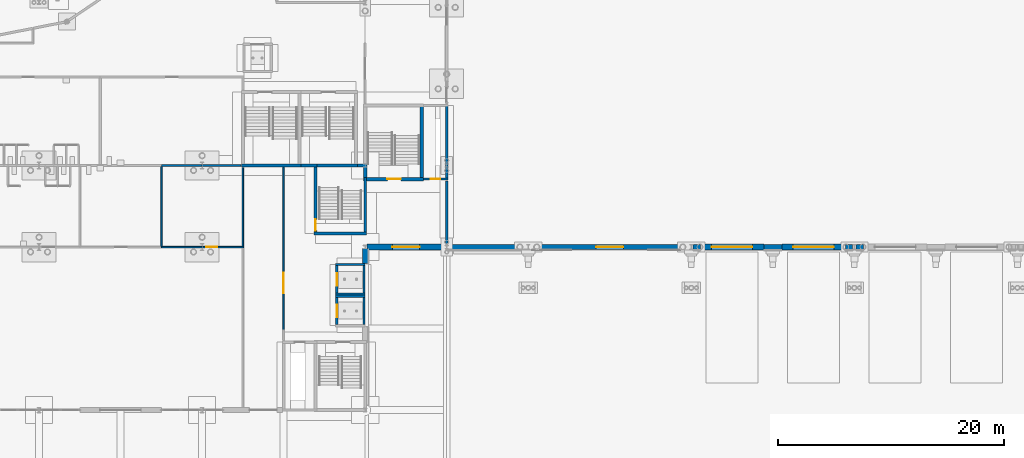
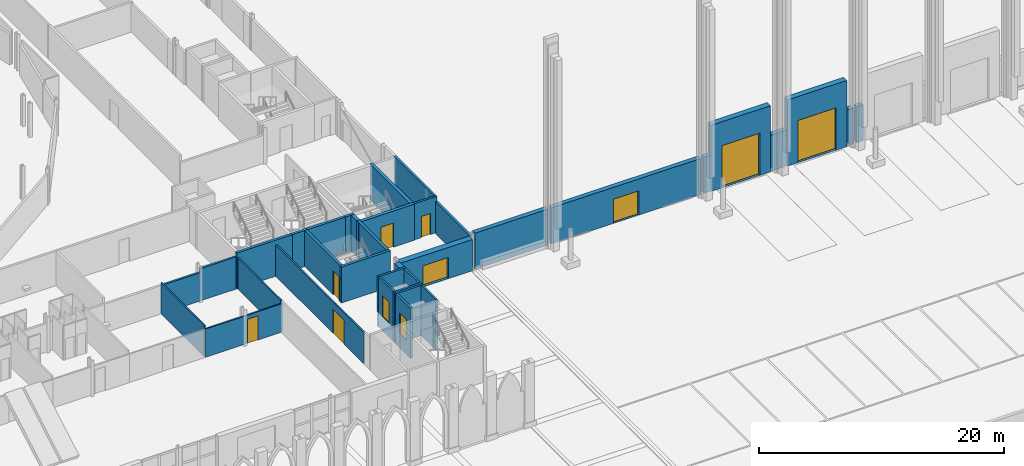
# One storey, part 80 of 148: 36 walls, 11 doors, 11 openings.
"""IFC4 building model written with IfcOpenShell, lengths in metres."""

from ifc_helpers import new_model, si_unit, direction, frame, frame_2d, origin, place, context, subcontext, project, spatial, rectangle, extrude, material, layer, layer_set, type_object, element, fill, save


model = new_model("IFC4")

# Units and contexts
model_context = context("Model", 3, precision=1e-05, world=origin(), true_north=direction((0.0, 1.0)))
body_context = subcontext(model_context, "Body", "Model", "MODEL_VIEW")
ifc_project = project(units=[si_unit("LENGTHUNIT", "METRE"), si_unit("AREAUNIT", "SQUARE_METRE"), si_unit("VOLUMEUNIT", "CUBIC_METRE"), si_unit("PLANEANGLEUNIT", "RADIAN"), si_unit("MASSUNIT", "GRAM", prefix="KILO")], contexts=[model_context])

# Site, building, storey
site_placement = place(None, origin())
site = spatial("IfcSite", under=ifc_project, at=site_placement, CompositionType="ELEMENT")
building_placement = place(site_placement, origin())
building = spatial("IfcBuilding", under=site, at=building_placement, Name="Kupolbacken Congress Centre", CompositionType="ELEMENT")
storey_placement = place(building_placement, origin())
storey = spatial("IfcBuildingStorey", under=building, at=storey_placement, Name="L00", CompositionType="ELEMENT", Elevation=0.0)

# Wall
ifc_material_1 = material(Name="Brick", Category="masonry")
ifc_layer_1 = layer(ifc_material_1, 0.10791015625)
ifc_material_2 = material(Name="Air cavity", Category="air")
ifc_layer_2 = layer(ifc_material_2, 0.0400390625, ventilated=True)
ifc_material_3 = material(Name="Mineral wool", Category="insulation")
ifc_layer_3 = layer(ifc_material_3, 0.152099609375)
ifc_material_4 = material(Name="Concrete block", Category="masonry")
ifc_layer_4 = layer(ifc_material_4, 0.1201171875)
ifc_layer_set_1 = layer_set([ifc_layer_1, ifc_layer_2, ifc_layer_3, ifc_layer_4], Name="Brick / Mineral wool / Concrete block")
wall_type_1 = type_object("IfcWallType", Name="EW04 external cavity wall 420", PredefinedType="SOLIDWALL", material=ifc_layer_set_1)
wall_1_placement = place(storey_placement, frame((86.550048828125, 43.199951171875, 0.0), z_axis=(0.0, 0.0, 1.0), x_axis=(1.0, 0.0, 0.0)))
element("IfcWall", 1, at=wall_1_placement, inside=storey, type_object=wall_type_1, Name="E/H/S/L00/068", PredefinedType="SOLIDWALL", context=body_context, shape_type="SweptSolid", body=[
    extrude(rectangle(XDim=6.89990234375, YDim=0.419921875, at=frame_2d((3.449951171875, 0.0))), origin(), (0.0, 0.0, 1.0), 3.60009765625),
])

# Wall, opening, door
wall_2_placement = place(storey_placement, frame((93.75, 43.199951171875, 0.0), z_axis=(0.0, 0.0, 1.0), x_axis=(1.0, 0.0, 0.0)))
wall_2 = element("IfcWall", 2, at=wall_2_placement, inside=storey, type_object=wall_type_1, Name="E/H/S/L00/069", PredefinedType="SOLIDWALL", context=body_context, shape_type="SweptSolid", body=[
    extrude(rectangle(XDim=14.10009765625, YDim=0.419921875, at=frame_2d((7.050048828125, 0.0))), origin(), (0.0, 0.0, 1.0), 3.60009765625),
])
opening_1_placement = place(wall_2_placement, frame((5.85009765625, 0.0, 0.014892578125)))
opening_1 = element("IfcOpeningElement", 3, at=opening_1_placement, cuts=wall_2, Name="Opening D46", PredefinedType="OPENING", context=body_context, shape_type="SweptSolid", body=[
    extrude(rectangle(XDim=2.39990234375, YDim=2.39990234375, at=frame_2d((1.199951171875, 1.199951171875))), frame((0.0, 0.219970703125, 0.0), z_axis=(0.0, -1.0, 0.0), x_axis=(1.0, 0.0, 0.0)), (0.0, 0.0, 1.0), 0.43994140625),
])
ifc_material_5 = material(Name="Timber door leaf", Category="wood")
door_type_1 = type_object("IfcDoorType", Name="D46 door 2400x2400 with 15 mm threshold", OperationType="DOUBLE_DOOR_SINGLE_SWING", PredefinedType="DOOR", material=ifc_material_5)
door_1_placement = place(opening_1_placement, frame((2.39990234375, 0.0, 0.0), z_axis=(0.0, 0.0, 1.0), x_axis=(-1.0, 0.0, 0.0)))
door_1 = element("IfcDoor", 4, at=door_1_placement, inside=storey, type_object=door_type_1, Name="Hall exit S1", OperationType="DOUBLE_DOOR_SINGLE_SWING", OverallHeight=2.39990234375, OverallWidth=2.39990234375, PredefinedType="DOOR", context=body_context, shape_type="SweptSolid", body=[
    extrude(rectangle(XDim=2.39990234375, YDim=2.39990234375, at=frame_2d((1.199951171875, 1.199951171875))), frame((0.0, 0.02490234375, 0.0), z_axis=(0.0, -1.0, 0.0), x_axis=(1.0, 0.0, 0.0)), (0.0, 0.0, 1.0), 0.050048828125),
])
fill(opening_1, door_1)

# Walls
wall_3_placement = place(storey_placement, frame((108.14990234375, 43.199951171875, 0.0), z_axis=(0.0, 0.0, 1.0), x_axis=(1.0, 0.0, 0.0)))
element("IfcWall", 5, at=wall_3_placement, inside=storey, type_object=wall_type_1, Name="E/H/S/L00/070", PredefinedType="SOLIDWALL", context=body_context, shape_type="SweptSolid", body=[
    extrude(rectangle(XDim=0.650146484375, YDim=0.419921875, at=frame_2d((0.3251953125, 0.0))), origin(), (0.0, 0.0, 1.0), 3.60009765625),
])
wall_4_placement = place(storey_placement, frame((114.39990234375, 43.199951171875, 0.0), z_axis=(0.0, 0.0, 1.0), x_axis=(1.0, 0.0, 0.0)))
element("IfcWall", 6, at=wall_4_placement, inside=storey, type_object=wall_type_1, Name="E/H/S/L00/072", PredefinedType="SOLIDWALL", context=body_context, shape_type="SweptSolid", body=[
    extrude(rectangle(XDim=1.60009765625, YDim=0.419921875, at=frame_2d((0.800048828125, 0.0))), origin(), (0.0, 0.0, 1.0), 3.60009765625),
])
for number, where, z_axis, x_axis, name in (
    (7, (121.60009765625, 43.199951171875, 0.0), (0.0, 0.0, 1.0), (1.0, 0.0, 0.0), "E/H/S/L00/074"),
    (8, (122.550048828125, 43.199951171875, 0.0), (0.0, 0.0, 1.0), (1.0, 0.0, 0.0), "E/H/S/L00/075"),
):
    element("IfcWall", number, at=place(storey_placement, frame(where, z_axis=z_axis, x_axis=x_axis)), inside=storey, type_object=wall_type_1, Name=name, PredefinedType="SOLIDWALL", context=body_context, shape_type="SweptSolid", body=[
        extrude(rectangle(XDim=0.64990234375, YDim=0.419921875, at=frame_2d((0.324951171875, 0.0))), origin(), (0.0, 0.0, 1.0), 3.60009765625),
    ])
ifc_material_6 = material(Name="Concrete C40/50", Category="concrete")
ifc_layer_5 = layer(ifc_material_6, 0.1201171875)
ifc_layer_6 = layer(ifc_material_3, 0.19189453125)
ifc_layer_7 = layer(ifc_material_2, 0.0400390625, ventilated=True)
ifc_layer_8 = layer(ifc_material_1, 0.10791015625)
ifc_layer_set_2 = layer_set([ifc_layer_5, ifc_layer_6, ifc_layer_7, ifc_layer_8], Name="Concrete C40/50 / Mineral wool / Brick")
wall_type_2 = type_object("IfcWallType", Name="EW06 external cavity wall 460", PredefinedType="SOLIDWALL", material=ifc_layer_set_2)
wall_5_placement = place(storey_placement, frame((79.199951171875, 41.75, 0.0), z_axis=(0.0, 0.0, 1.0), x_axis=(0.0, 1.0, 0.0)))
element("IfcWall", 9, at=wall_5_placement, inside=storey, type_object=wall_type_2, Name="E/F/E/L00/026", PredefinedType="SOLIDWALL", context=body_context, shape_type="SweptSolid", body=[
    extrude(rectangle(XDim=1.300048828125, YDim=0.4599609375, at=frame_2d((0.64990234375, 0.0))), origin(), (0.0, 0.0, 1.0), 3.219970703125),
])

# Wall, opening, door
ifc_layer_9 = layer(ifc_material_6, 0.199951171875)
ifc_layer_10 = layer(ifc_material_3, 0.172119140625)
ifc_layer_11 = layer(ifc_material_2, 0.0400390625, ventilated=True)
ifc_layer_12 = layer(ifc_material_1, 0.10791015625)
ifc_layer_set_3 = layer_set([ifc_layer_9, ifc_layer_10, ifc_layer_11, ifc_layer_12], Name="Concrete C40/50 / Mineral wool / Brick")
wall_type_3 = type_object("IfcWallType", Name="EW08 external cavity wall 520", PredefinedType="SOLIDWALL", material=ifc_layer_set_3)
wall_6_placement = place(storey_placement, frame((108.800048828125, 43.199951171875, 0.0), z_axis=(0.0, 0.0, 1.0), x_axis=(1.0, 0.0, 0.0)))
wall_6 = element("IfcWall", 10, at=wall_6_placement, inside=storey, type_object=wall_type_3, Name="E/H/S/L00/071", PredefinedType="SOLIDWALL", context=body_context, shape_type="SweptSolid", body=[
    extrude(rectangle(XDim=5.599853515625, YDim=0.52001953125, at=frame_2d((2.7998046875, 0.0))), origin(), (0.0, 0.0, 1.0), 6.60009765625),
])
opening_2_placement = place(wall_6_placement, frame((1.0, 0.0, 0.014892578125)))
opening_2 = element("IfcOpeningElement", 11, at=opening_2_placement, cuts=wall_6, Name="Opening D28", PredefinedType="OPENING", context=body_context, shape_type="SweptSolid", body=[
    extrude(rectangle(XDim=3.60009765625, YDim=4.199951171875, at=frame_2d((1.800048828125, 2.10009765625))), frame((0.0, 0.27001953125, 0.0), z_axis=(0.0, -1.0, 0.0), x_axis=(1.0, 0.0, 0.0)), (0.0, 0.0, 1.0), 0.5400390625),
])
ifc_material_7 = material(Name="Steel fire door leaf", Category="steel")
door_type_2 = type_object("IfcDoorType", Name="D28 fire door dock gate 3600x4200", OperationType="ROLLINGUP", PredefinedType="GATE", material=ifc_material_7)
door_2_placement = place(opening_2_placement, origin())
door_2 = element("IfcDoor", 12, at=door_2_placement, inside=storey, type_object=door_type_2, Name="Dock door D1", OperationType="SINGLE_SWING_LEFT", OverallHeight=4.199951171875, OverallWidth=3.60009765625, PredefinedType="GATE", context=body_context, shape_type="SweptSolid", body=[
    extrude(rectangle(XDim=3.60009765625, YDim=4.199951171875, at=frame_2d((1.800048828125, 2.10009765625))), frame((0.0, 0.02490234375, 0.0), z_axis=(0.0, -1.0, 0.0), x_axis=(1.0, 0.0, 0.0)), (0.0, 0.0, 1.0), 0.050048828125),
])
fill(opening_2, door_2)

wall_7_placement = place(storey_placement, frame((116.0, 43.199951171875, 0.0), z_axis=(0.0, 0.0, 1.0), x_axis=(1.0, 0.0, 0.0)))
wall_7 = element("IfcWall", 13, at=wall_7_placement, inside=storey, type_object=wall_type_3, Name="E/H/S/L00/073", PredefinedType="SOLIDWALL", context=body_context, shape_type="SweptSolid", body=[
    extrude(rectangle(XDim=5.60009765625, YDim=0.52001953125, at=frame_2d((2.800048828125, 0.0))), origin(), (0.0, 0.0, 1.0), 6.60009765625),
])
opening_3_placement = place(wall_7_placement, frame((1.0, 0.0, 0.014892578125)))
opening_3 = element("IfcOpeningElement", 14, at=opening_3_placement, cuts=wall_7, Name="Opening D28", PredefinedType="OPENING", context=body_context, shape_type="SweptSolid", body=[
    extrude(rectangle(XDim=3.60009765625, YDim=4.199951171875, at=frame_2d((1.800048828125, 2.10009765625))), frame((0.0, 0.27001953125, 0.0), z_axis=(0.0, -1.0, 0.0), x_axis=(1.0, 0.0, 0.0)), (0.0, 0.0, 1.0), 0.5400390625),
])
door_3_placement = place(opening_3_placement, origin())
door_3 = element("IfcDoor", 15, at=door_3_placement, inside=storey, type_object=door_type_2, Name="Dock door D2", OperationType="SINGLE_SWING_LEFT", OverallHeight=4.199951171875, OverallWidth=3.60009765625, PredefinedType="GATE", context=body_context, shape_type="SweptSolid", body=[
    extrude(rectangle(XDim=3.60009765625, YDim=4.199951171875, at=frame_2d((1.800048828125, 2.10009765625))), frame((0.0, 0.02490234375, 0.0), z_axis=(0.0, -1.0, 0.0), x_axis=(1.0, 0.0, 0.0)), (0.0, 0.0, 1.0), 0.050048828125),
])
fill(opening_3, door_3)

ifc_layer_13 = layer(ifc_material_6, 0.199951171875)
ifc_layer_14 = layer(ifc_material_3, 0.199951171875)
ifc_layer_15 = layer(ifc_material_2, 0.0400390625, ventilated=True)
ifc_material_8 = material(Name="Limestone", Category="masonry")
ifc_layer_16 = layer(ifc_material_8, 0.1201171875)
ifc_layer_set_4 = layer_set([ifc_layer_13, ifc_layer_14, ifc_layer_15, ifc_layer_16], Name="Concrete C40/50 / Mineral wool / Limestone")
wall_type_4 = type_object("IfcWallType", Name="EW09 external cavity wall 560", PredefinedType="SOLIDWALL", material=ifc_layer_set_4)
wall_8_placement = place(storey_placement, frame((79.35009765625, 43.199951171875, 0.0), z_axis=(0.0, 0.0, 1.0), x_axis=(1.0, 0.0, 0.0)))
wall_8 = element("IfcWall", 16, at=wall_8_placement, inside=storey, type_object=wall_type_4, Name="E/LINK/S/L00/092", PredefinedType="SOLIDWALL", context=body_context, shape_type="SweptSolid", body=[
    extrude(rectangle(XDim=6.89990234375, YDim=0.56005859375, at=frame_2d((3.449951171875, 0.0))), origin(), (0.0, 0.0, 1.0), 3.1201171875),
])
opening_4_placement = place(wall_8_placement, frame((2.25, 0.0, 0.014892578125)))
opening_4 = element("IfcOpeningElement", 17, at=opening_4_placement, cuts=wall_8, Name="Opening D50", PredefinedType="OPENING", context=body_context, shape_type="SweptSolid", body=[
    extrude(rectangle(XDim=2.39990234375, YDim=2.10009765625, at=frame_2d((1.199951171875, 1.050048828125))), frame((0.0, 0.2900390625, 0.0), z_axis=(0.0, -1.0, 0.0), x_axis=(1.0, 0.0, 0.0)), (0.0, 0.0, 1.0), 0.580078125),
])
ifc_material_9 = material(Name="Steel fire door leaf", Category="steel")
door_type_3 = type_object("IfcDoorType", Name="D50 stair door 2400x2100 with 15 mm threshold", OperationType="DOUBLE_DOOR_SINGLE_SWING", PredefinedType="DOOR", material=ifc_material_9)
door_4_placement = place(opening_4_placement, frame((2.39990234375, 0.0, 0.0), z_axis=(0.0, 0.0, 1.0), x_axis=(-1.0, 0.0, 0.0)))
door_4 = element("IfcDoor", 18, at=door_4_placement, inside=storey, type_object=door_type_3, Name="Final exit X3", OperationType="DOUBLE_DOOR_SINGLE_SWING", OverallHeight=2.10009765625, OverallWidth=2.39990234375, PredefinedType="DOOR", context=body_context, shape_type="SweptSolid", body=[
    extrude(rectangle(XDim=2.39990234375, YDim=2.10009765625, at=frame_2d((1.199951171875, 1.050048828125))), frame((0.0, 0.02490234375, 0.0), z_axis=(0.0, -1.0, 0.0), x_axis=(1.0, 0.0, 0.0)), (0.0, 0.0, 1.0), 0.050048828125),
])
fill(opening_4, door_4)

ifc_material_10 = material(Name="Gypsum board", Category="drywall")
ifc_layer_17 = layer(ifc_material_10, 0.135009765625)
ifc_layer_set_5 = layer_set([ifc_layer_17], Name="Gypsum board")
wall_type_5 = type_object("IfcWallType", Name="P06 compartment wall 135", PredefinedType="PARTITIONING", material=ifc_layer_set_5)
wall_9_placement = place(storey_placement, frame((61.199951171875, 43.199951171875, 0.0), z_axis=(0.0, 0.0, 1.0), x_axis=(1.0, 0.0, 0.0)))
wall_9 = element("IfcWall", 19, at=wall_9_placement, inside=storey, type_object=wall_type_5, Name="PD/L00/W036", PredefinedType="PARTITIONING", context=body_context, shape_type="SweptSolid", body=[
    extrude(rectangle(XDim=7.267578125, YDim=0.135009765625, at=frame_2d((3.6337890625, 0.0))), origin(), (0.0, 0.0, 1.0), 2.820068359375),
])
opening_5_placement = place(wall_9_placement, frame((3.949951171875, 0.0, 0.0)))
opening_5 = element("IfcOpeningElement", 20, at=opening_5_placement, cuts=wall_9, Name="Opening 0.F13", PredefinedType="OPENING", context=body_context, shape_type="SweptSolid", body=[
    extrude(rectangle(XDim=1.0, YDim=2.39990234375, at=frame_2d((0.5, 1.199951171875))), frame((0.0, 0.077392578125, 0.0), z_axis=(0.0, -1.0, 0.0), x_axis=(1.0, 0.0, 0.0)), (0.0, 0.0, 1.0), 0.155029296875),
])
ifc_material_11 = material(Name="Steel fire door leaf", Category="steel")
door_type_4 = type_object("IfcDoorType", Name="D8 fire door 1000x2400", OperationType="SINGLE_SWING_LEFT", PredefinedType="DOOR", material=ifc_material_11)
door_5_placement = place(opening_5_placement, origin())
door_5 = element("IfcDoor", 21, at=door_5_placement, inside=storey, type_object=door_type_4, Name="PD/L00/W036/D0F13", OperationType="SINGLE_SWING_LEFT", OverallHeight=2.39990234375, OverallWidth=1.0, PredefinedType="DOOR", context=body_context, shape_type="SweptSolid", body=[
    extrude(rectangle(XDim=1.0, YDim=2.39990234375, at=frame_2d((0.5, 1.199951171875))), frame((0.0, 0.02490234375, 0.0), z_axis=(0.0, -1.0, 0.0), x_axis=(1.0, 0.0, 0.0)), (0.0, 0.0, 1.0), 0.050048828125),
])
fill(opening_5, door_5)

# Walls
wall_10_placement = place(storey_placement, frame((68.39990234375, 43.267578125, 0.0), z_axis=(0.0, 0.0, 1.0), x_axis=(0.0, 1.0, 0.0)))
element("IfcWall", 22, at=wall_10_placement, inside=storey, type_object=wall_type_5, Name="PD/L00/W038", PredefinedType="PARTITIONING", context=body_context, shape_type="SweptSolid", body=[
    extrude(rectangle(XDim=6.947509765625, YDim=0.135009765625, at=frame_2d((3.4736328125, 0.0))), origin(), (0.0, 0.0, 1.0), 3.1201171875),
])
wall_11_placement = place(storey_placement, frame((61.199951171875, 50.304931640625, 0.0), z_axis=(0.0, 0.0, 1.0), x_axis=(0.0, -1.0, 0.0)))
element("IfcWall", 23, at=wall_11_placement, inside=storey, type_object=wall_type_5, Name="PD/L00/W052", PredefinedType="PARTITIONING", context=body_context, shape_type="SweptSolid", body=[
    extrude(rectangle(XDim=7.037353515625, YDim=0.135009765625, at=frame_2d((3.5185546875, 0.0))), origin(), (0.0, 0.0, 1.0), 3.1201171875),
])

# Wall, opening, door
wall_12_placement = place(storey_placement, frame((72.0, 35.889892578125, 0.0), z_axis=(0.0, 0.0, 1.0), x_axis=(0.0, 1.0, 0.0)))
wall_12 = element("IfcWall", 24, at=wall_12_placement, inside=storey, type_object=wall_type_5, Name="PD/L00/W002.h1", PredefinedType="PARTITIONING", context=body_context, shape_type="SweptSolid", body=[
    extrude(rectangle(XDim=14.4501953125, YDim=0.135009765625, at=frame_2d((7.22509765625, 0.0))), origin(), (0.0, 0.0, 1.0), 3.1201171875),
])
opening_6_placement = place(wall_12_placement, frame((3.219970703125, 0.0, 0.0)))
opening_6 = element("IfcOpeningElement", 25, at=opening_6_placement, cuts=wall_12, Name="Opening 0.F15", PredefinedType="OPENING", context=body_context, shape_type="SweptSolid", body=[
    extrude(rectangle(XDim=1.800048828125, YDim=2.39990234375, at=frame_2d((0.89990234375, 1.199951171875))), frame((0.0, 0.077392578125, 0.0), z_axis=(0.0, -1.0, 0.0), x_axis=(1.0, 0.0, 0.0)), (0.0, 0.0, 1.0), 0.155029296875),
])
ifc_material_12 = material(Name="Steel fire door leaf", Category="steel")
door_type_5 = type_object("IfcDoorType", Name="D15 fire door 1800x2400", OperationType="DOUBLE_DOOR_SINGLE_SWING", PredefinedType="DOOR", material=ifc_material_12)
door_6_placement = place(opening_6_placement, frame((1.800048828125, 0.0, 0.0), z_axis=(0.0, 0.0, 1.0), x_axis=(-1.0, 0.0, 0.0)))
door_6 = element("IfcDoor", 26, at=door_6_placement, inside=storey, type_object=door_type_5, Name="PD/L00/W002/D0F15", OperationType="DOUBLE_DOOR_SINGLE_SWING", OverallHeight=2.39990234375, OverallWidth=1.800048828125, PredefinedType="DOOR", context=body_context, shape_type="SweptSolid", body=[
    extrude(rectangle(XDim=1.800048828125, YDim=2.39990234375, at=frame_2d((0.89990234375, 1.199951171875))), frame((0.0, 0.02490234375, 0.0), z_axis=(0.0, -1.0, 0.0), x_axis=(1.0, 0.0, 0.0)), (0.0, 0.0, 1.0), 0.050048828125),
])
fill(opening_6, door_6)

# Walls
ifc_material_13 = material(Name="Gypsum board", Category="drywall")
ifc_layer_18 = layer(ifc_material_13, 0.18994140625)
ifc_layer_set_6 = layer_set([ifc_layer_18], Name="Gypsum board")
wall_type_6 = type_object("IfcWallType", Name="P10 partition 190", PredefinedType="PARTITIONING", material=ifc_layer_set_6)
wall_13_placement = place(storey_placement, frame((61.199951171875, 50.39990234375, 0.0), z_axis=(0.0, 0.0, 1.0), x_axis=(1.0, 0.0, 0.0)))
element("IfcWall", 27, at=wall_13_placement, inside=storey, type_object=wall_type_6, Name="PD/L00/W055", PredefinedType="PARTITIONING", context=body_context, shape_type="SweptSolid", body=[
    extrude(rectangle(XDim=3.607666015625, YDim=0.18994140625, at=frame_2d((1.8037109375, 0.0))), origin(), (0.0, 0.0, 1.0), 2.820068359375),
])
wall_14_placement = place(storey_placement, frame((64.8076171875, 50.39990234375, 0.0), z_axis=(0.0, 0.0, 1.0), x_axis=(1.0, 0.0, 0.0)))
element("IfcWall", 28, at=wall_14_placement, inside=storey, type_object=wall_type_6, Name="PD/L00/W055.h1", PredefinedType="PARTITIONING", context=body_context, shape_type="SweptSolid", body=[
    extrude(rectangle(XDim=3.407470703125, YDim=0.18994140625, at=frame_2d((1.70361328125, 0.0))), origin(), (0.0, 0.0, 1.0), 3.218994140625),
])
ifc_material_14 = material(Name="Dense concrete block", Category="masonry")
ifc_layer_19 = layer(ifc_material_14, 0.215087890625)
ifc_layer_set_7 = layer_set([ifc_layer_19], Name="Dense concrete block")
wall_type_7 = type_object("IfcWallType", Name="P15 partition 215", PredefinedType="PARTITIONING", material=ifc_layer_set_7)
wall_15_placement = place(storey_placement, frame((86.39990234375, 43.47998046875, 0.0), z_axis=(0.0, 0.0, 1.0), x_axis=(0.0, 1.0, 0.0)))
element("IfcWall", 29, at=wall_15_placement, inside=storey, type_object=wall_type_7, Name="PD/L00/W012", PredefinedType="PARTITIONING", context=body_context, shape_type="SweptSolid", body=[
    extrude(rectangle(XDim=5.56005859375, YDim=0.215087890625, at=frame_2d((2.780029296875, 0.0))), origin(), (0.0, 0.0, 1.0), 3.14990234375),
])

# Wall, opening, door
ifc_material_15 = material(Name="Concrete C40/50", Category="concrete")
ifc_layer_20 = layer(ifc_material_15, 0.199951171875)
ifc_layer_set_8 = layer_set([ifc_layer_20], Name="Concrete C40/50")
wall_type_8 = type_object("IfcWallType", Name="WC1 RC shaft wall 200", PredefinedType="SHEAR", material=ifc_layer_set_8)
wall_16_placement = place(storey_placement, frame((84.35009765625, 49.199951171875, 0.0), z_axis=(0.0, 0.0, 1.0), x_axis=(1.0, 0.0, 0.0)))
wall_16 = element("IfcWall", 30, at=wall_16_placement, inside=storey, type_object=wall_type_8, Name="Shaft wall L00-020", PredefinedType="SHEAR", context=body_context, shape_type="SweptSolid", body=[
    extrude(rectangle(XDim=2.14990234375, YDim=0.199951171875, at=frame_2d((1.074951171875, 0.0))), origin(), (0.0, 0.0, 1.0), 3.60009765625),
])
opening_7_placement = place(wall_16_placement, frame((0.64990234375, 0.0, 0.0)))
opening_7 = element("IfcOpeningElement", 31, at=opening_7_placement, cuts=wall_16, Name="Opening 0.L05", PredefinedType="OPENING", context=body_context, shape_type="SweptSolid", body=[
    extrude(rectangle(XDim=0.85009765625, YDim=2.10009765625, at=frame_2d((0.425048828125, 1.050048828125))), frame((0.0, 0.10986328125, 0.0), z_axis=(0.0, -1.0, 0.0), x_axis=(1.0, 0.0, 0.0)), (0.0, 0.0, 1.0), 0.219970703125),
])
ifc_material_16 = material(Name="Steel fire door leaf", Category="steel")
door_type_6 = type_object("IfcDoorType", Name="D3 fire door 850x2100", OperationType="SINGLE_SWING_LEFT", PredefinedType="DOOR", material=ifc_material_16)
door_7_placement = place(opening_7_placement, origin())
door_7 = element("IfcDoor", 32, at=door_7_placement, inside=storey, type_object=door_type_6, Name="S/core/L00/020/D0L05", OperationType="SINGLE_SWING_LEFT", OverallHeight=2.10009765625, OverallWidth=0.85009765625, PredefinedType="DOOR", context=body_context, shape_type="SweptSolid", body=[
    extrude(rectangle(XDim=0.85009765625, YDim=2.10009765625, at=frame_2d((0.425048828125, 1.050048828125))), frame((0.0, 0.02490234375, 0.0), z_axis=(0.0, -1.0, 0.0), x_axis=(1.0, 0.0, 0.0)), (0.0, 0.0, 1.0), 0.050048828125),
])
fill(opening_7, door_7)

# Walls
wall_17_placement = place(storey_placement, frame((86.39990234375, 49.10009765625, 0.0), z_axis=(0.0, 0.0, 1.0), x_axis=(0.0, 1.0, 0.0)))
element("IfcWall", 33, at=wall_17_placement, inside=storey, type_object=wall_type_8, Name="Shaft wall L00-022", PredefinedType="SHEAR", context=body_context, shape_type="SweptSolid", body=[
    extrude(rectangle(XDim=6.699951171875, YDim=0.199951171875, at=frame_2d((3.35009765625, 0.0))), origin(), (0.0, 0.0, 1.0), 3.60009765625),
])
wall_18_placement = place(storey_placement, frame((76.60009765625, 38.85009765625, -1.39990234375), z_axis=(0.0, 0.0, 1.0), x_axis=(1.0, 0.0, 0.0)))
element("IfcWall", 34, at=wall_18_placement, inside=storey, type_object=wall_type_8, Name="Shaft wall LP3", PredefinedType="SHEAR", context=body_context, shape_type="SweptSolid", body=[
    extrude(rectangle(XDim=2.599853515625, YDim=0.199951171875, at=frame_2d((1.2998046875, 0.0))), origin(), (0.0, 0.0, 1.0), 5.0),
])

# Wall, opening, door
wall_19_placement = place(storey_placement, frame((76.699951171875, 36.35009765625, -1.39990234375), z_axis=(0.0, 0.0, 1.0), x_axis=(0.0, 1.0, 0.0)))
wall_19 = element("IfcWall", 35, at=wall_19_placement, inside=storey, type_object=wall_type_8, Name="Shaft wall LP3", PredefinedType="SHEAR", context=body_context, shape_type="SweptSolid", body=[
    extrude(rectangle(XDim=2.39990234375, YDim=0.199951171875, at=frame_2d((1.199951171875, 0.0))), origin(), (0.0, 0.0, 1.0), 5.0),
])
opening_8_placement = place(wall_19_placement, frame((0.64990234375, 0.0, 1.39990234375)))
opening_8 = element("IfcOpeningElement", 36, at=opening_8_placement, cuts=wall_19, Name="Opening LD2", PredefinedType="OPENING", context=body_context, shape_type="SweptSolid", body=[
    extrude(rectangle(XDim=1.10009765625, YDim=2.10009765625, at=frame_2d((0.550048828125, 1.050048828125))), frame((0.0, 0.10986328125, 0.0), z_axis=(0.0, -1.0, 0.0), x_axis=(1.0, 0.0, 0.0)), (0.0, 0.0, 1.0), 0.219970703125),
])
ifc_material_17 = material(Name="Stainless steel door leaf", Category="steel")
door_type_7 = type_object("IfcDoorType", Name="LD2 lift landing door 1100x2100", OperationType="SLIDING_TO_LEFT", PredefinedType="DOOR", material=ifc_material_17)
door_8_placement = place(opening_8_placement, origin())
door_8 = element("IfcDoor", 37, at=door_8_placement, inside=storey, type_object=door_type_7, Name="Lift landing door LP3", OperationType="SLIDING_TO_LEFT", OverallHeight=2.10009765625, OverallWidth=1.10009765625, PredefinedType="DOOR", context=body_context, shape_type="SweptSolid", body=[
    extrude(rectangle(XDim=1.10009765625, YDim=2.10009765625, at=frame_2d((0.550048828125, 1.050048828125))), frame((0.0, 0.02490234375, 0.0), z_axis=(0.0, -1.0, 0.0), x_axis=(1.0, 0.0, 0.0)), (0.0, 0.0, 1.0), 0.050048828125),
])
fill(opening_8, door_8)

# Walls
wall_20_placement = place(storey_placement, frame((79.10009765625, 36.35009765625, -1.39990234375), z_axis=(0.0, 0.0, 1.0), x_axis=(0.0, 1.0, 0.0)))
element("IfcWall", 38, at=wall_20_placement, inside=storey, type_object=wall_type_8, Name="Shaft wall LP3", PredefinedType="SHEAR", context=body_context, shape_type="SweptSolid", body=[
    extrude(rectangle(XDim=2.39990234375, YDim=0.199951171875, at=frame_2d((1.199951171875, 0.0))), origin(), (0.0, 0.0, 1.0), 5.0),
])
for number, where, z_axis, x_axis, name in (
    (39, (76.60009765625, 39.050048828125, -1.39990234375), (0.0, 0.0, 1.0), (1.0, 0.0, 0.0), "Shaft wall LP4"),
    (40, (76.60009765625, 41.64990234375, -1.39990234375), (0.0, 0.0, 1.0), (1.0, 0.0, 0.0), "Shaft wall LP4"),
):
    element("IfcWall", number, at=place(storey_placement, frame(where, z_axis=z_axis, x_axis=x_axis)), inside=storey, type_object=wall_type_8, Name=name, PredefinedType="SHEAR", context=body_context, shape_type="SweptSolid", body=[
        extrude(rectangle(XDim=2.599853515625, YDim=0.199951171875, at=frame_2d((1.2998046875, 0.0))), origin(), (0.0, 0.0, 1.0), 5.0),
    ])

# Wall, opening, door
wall_21_placement = place(storey_placement, frame((76.699951171875, 39.14990234375, -1.39990234375), z_axis=(0.0, 0.0, 1.0), x_axis=(0.0, 1.0, 0.0)))
wall_21 = element("IfcWall", 41, at=wall_21_placement, inside=storey, type_object=wall_type_8, Name="Shaft wall LP4", PredefinedType="SHEAR", context=body_context, shape_type="SweptSolid", body=[
    extrude(rectangle(XDim=2.400146484375, YDim=0.199951171875, at=frame_2d((1.2001953125, 0.0))), origin(), (0.0, 0.0, 1.0), 5.0),
])
opening_9_placement = place(wall_21_placement, frame((0.64990234375, 0.0, 1.39990234375)))
opening_9 = element("IfcOpeningElement", 42, at=opening_9_placement, cuts=wall_21, Name="Opening LD2", PredefinedType="OPENING", context=body_context, shape_type="SweptSolid", body=[
    extrude(rectangle(XDim=1.10009765625, YDim=2.10009765625, at=frame_2d((0.550048828125, 1.050048828125))), frame((0.0, 0.10986328125, 0.0), z_axis=(0.0, -1.0, 0.0), x_axis=(1.0, 0.0, 0.0)), (0.0, 0.0, 1.0), 0.219970703125),
])
door_9_placement = place(opening_9_placement, origin())
door_9 = element("IfcDoor", 43, at=door_9_placement, inside=storey, type_object=door_type_7, Name="Lift landing door LP4", OperationType="SLIDING_TO_LEFT", OverallHeight=2.10009765625, OverallWidth=1.10009765625, PredefinedType="DOOR", context=body_context, shape_type="SweptSolid", body=[
    extrude(rectangle(XDim=1.10009765625, YDim=2.10009765625, at=frame_2d((0.550048828125, 1.050048828125))), frame((0.0, 0.02490234375, 0.0), z_axis=(0.0, -1.0, 0.0), x_axis=(1.0, 0.0, 0.0)), (0.0, 0.0, 1.0), 0.050048828125),
])
fill(opening_9, door_9)

# Walls
wall_22_placement = place(storey_placement, frame((79.10009765625, 39.14990234375, -1.39990234375), z_axis=(0.0, 0.0, 1.0), x_axis=(0.0, 1.0, 0.0)))
element("IfcWall", 44, at=wall_22_placement, inside=storey, type_object=wall_type_8, Name="Shaft wall LP4", PredefinedType="SHEAR", context=body_context, shape_type="SweptSolid", body=[
    extrude(rectangle(XDim=2.400146484375, YDim=0.199951171875, at=frame_2d((1.2001953125, 0.0))), origin(), (0.0, 0.0, 1.0), 5.0),
])
ifc_material_18 = material(Name="Concrete C40/50", Category="concrete")
ifc_layer_21 = layer(ifc_material_18, 0.25)
ifc_layer_set_9 = layer_set([ifc_layer_21], Name="Concrete C40/50")
wall_type_9 = type_object("IfcWallType", Name="WC2 RC stair enclosure wall 250", PredefinedType="SHEAR", material=ifc_layer_set_9)
wall_23_placement = place(storey_placement, frame((74.675048828125, 44.39990234375, 0.0), z_axis=(0.0, 0.0, 1.0), x_axis=(1.0, 0.0, 0.0)))
element("IfcWall", 45, at=wall_23_placement, inside=storey, type_object=wall_type_9, Name="Stair enclosure wall L00-016", PredefinedType="SHEAR", context=body_context, shape_type="SweptSolid", body=[
    extrude(rectangle(XDim=4.64990234375, YDim=0.25, at=frame_2d((2.324951171875, 0.0))), origin(), (0.0, 0.0, 1.0), 3.60009765625),
])
wall_24_placement = place(storey_placement, frame((79.199951171875, 44.27490234375, 0.0), z_axis=(0.0, 0.0, 1.0), x_axis=(0.0, 1.0, 0.0)))
element("IfcWall", 46, at=wall_24_placement, inside=storey, type_object=wall_type_9, Name="Stair enclosure wall L00-017", PredefinedType="SHEAR", context=body_context, shape_type="SweptSolid", body=[
    extrude(rectangle(XDim=5.0751953125, YDim=0.25, at=frame_2d((2.53759765625, 0.0))), origin(), (0.0, 0.0, 1.0), 3.60009765625),
])
wall_25_placement = place(storey_placement, frame((68.27490234375, 50.39990234375, 0.0), z_axis=(0.0, 0.0, 1.0), x_axis=(1.0, 0.0, 0.0)))
element("IfcWall", 47, at=wall_25_placement, inside=storey, type_object=wall_type_9, Name="Stair enclosure wall L00-027", PredefinedType="SHEAR", context=body_context, shape_type="SweptSolid", body=[
    extrude(rectangle(XDim=5.25, YDim=0.25, at=frame_2d((2.625, 0.0))), origin(), (0.0, 0.0, 1.0), 3.60009765625),
])
wall_26_placement = place(storey_placement, frame((73.52490234375, 50.39990234375, 0.0), z_axis=(0.0, 0.0, 1.0), x_axis=(1.0, 0.0, 0.0)))
element("IfcWall", 48, at=wall_26_placement, inside=storey, type_object=wall_type_9, Name="Stair enclosure wall L00-028", PredefinedType="SHEAR", context=body_context, shape_type="SweptSolid", body=[
    extrude(rectangle(XDim=1.400146484375, YDim=0.25, at=frame_2d((0.7001953125, 0.0))), origin(), (0.0, 0.0, 1.0), 3.60009765625),
])

# Wall, opening, door
wall_27_placement = place(storey_placement, frame((74.800048828125, 50.52490234375, 0.0), z_axis=(0.0, 0.0, 1.0), x_axis=(0.0, -1.0, 0.0)))
wall_27 = element("IfcWall", 49, at=wall_27_placement, inside=storey, type_object=wall_type_9, Name="Stair enclosure wall L00-030", PredefinedType="SHEAR", context=body_context, shape_type="SweptSolid", body=[
    extrude(rectangle(XDim=6.25, YDim=0.25, at=frame_2d((3.125, 0.0))), origin(), (0.0, 0.0, 1.0), 3.60009765625),
])
opening_10_placement = place(wall_27_placement, frame((4.875, 0.0, 0.0)))
opening_10 = element("IfcOpeningElement", 50, at=opening_10_placement, cuts=wall_27, Name="Opening 0.F05", PredefinedType="OPENING", context=body_context, shape_type="SweptSolid", body=[
    extrude(rectangle(XDim=1.0, YDim=2.39990234375, at=frame_2d((0.5, 1.199951171875))), frame((0.0, 0.135009765625, 0.0), z_axis=(0.0, -1.0, 0.0), x_axis=(1.0, 0.0, 0.0)), (0.0, 0.0, 1.0), 0.27001953125),
])
door_10_placement = place(opening_10_placement, origin())
door_10 = element("IfcDoor", 51, at=door_10_placement, inside=storey, type_object=door_type_4, Name="S/core/L00/030/D0F05", OperationType="SINGLE_SWING_LEFT", OverallHeight=2.39990234375, OverallWidth=1.0, PredefinedType="DOOR", context=body_context, shape_type="SweptSolid", body=[
    extrude(rectangle(XDim=1.0, YDim=2.39990234375, at=frame_2d((0.5, 1.199951171875))), frame((0.0, 0.02490234375, 0.0), z_axis=(0.0, -1.0, 0.0), x_axis=(1.0, 0.0, 0.0)), (0.0, 0.0, 1.0), 0.050048828125),
])
fill(opening_10, door_10)

# Walls
wall_28_placement = place(storey_placement, frame((78.52490234375, 50.39990234375, 0.0), z_axis=(0.0, 0.0, 1.0), x_axis=(-1.0, 0.0, 0.0)))
element("IfcWall", 52, at=wall_28_placement, inside=storey, type_object=wall_type_9, Name="Stair enclosure wall L00-031", PredefinedType="SHEAR", context=body_context, shape_type="SweptSolid", body=[
    extrude(rectangle(XDim=3.599853515625, YDim=0.25, at=frame_2d((1.7998046875, 0.0))), origin(), (0.0, 0.0, 1.0), 3.60009765625),
])
wall_29_placement = place(storey_placement, frame((79.35009765625, 50.39990234375, 0.0), z_axis=(0.0, 0.0, 1.0), x_axis=(-1.0, 0.0, 0.0)))
element("IfcWall", 53, at=wall_29_placement, inside=storey, type_object=wall_type_9, Name="Stair enclosure wall L00-033", PredefinedType="SHEAR", context=body_context, shape_type="SweptSolid", body=[
    extrude(rectangle(XDim=0.8251953125, YDim=0.25, at=frame_2d((0.41259765625, 0.0))), origin(), (0.0, 0.0, 1.0), 3.60009765625),
])

# Wall, opening, door
ifc_material_19 = material(Name="Concrete C40/50", Category="concrete")
ifc_layer_22 = layer(ifc_material_19, 0.300048828125)
ifc_layer_set_10 = layer_set([ifc_layer_22], Name="Concrete C40/50")
wall_type_10 = type_object("IfcWallType", Name="WC3 RC core wall 300", PredefinedType="SHEAR", material=ifc_layer_set_10)
wall_30_placement = place(storey_placement, frame((79.050048828125, 49.199951171875, 0.0), z_axis=(0.0, 0.0, 1.0), x_axis=(1.0, 0.0, 0.0)))
wall_30 = element("IfcWall", 54, at=wall_30_placement, inside=storey, type_object=wall_type_10, Name="Core wall L00-018", PredefinedType="SHEAR", context=body_context, shape_type="SweptSolid", body=[
    extrude(rectangle(XDim=5.300048828125, YDim=0.300048828125, at=frame_2d((2.64990234375, 0.0))), origin(), (0.0, 0.0, 1.0), 3.60009765625),
])
opening_11_placement = place(wall_30_placement, frame((2.10009765625, 0.0, 0.0)))
opening_11 = element("IfcOpeningElement", 55, at=opening_11_placement, cuts=wall_30, Name="Opening 0.L01", PredefinedType="OPENING", context=body_context, shape_type="SweptSolid", body=[
    extrude(rectangle(XDim=1.199951171875, YDim=2.39990234375, at=frame_2d((0.60009765625, 1.199951171875))), frame((0.0, 0.159912109375, 0.0), z_axis=(0.0, -1.0, 0.0), x_axis=(1.0, 0.0, 0.0)), (0.0, 0.0, 1.0), 0.320068359375),
])
ifc_material_20 = material(Name="Steel fire door leaf", Category="steel")
door_type_8 = type_object("IfcDoorType", Name="D9 fire door 1200x2400", OperationType="SINGLE_SWING_LEFT", PredefinedType="DOOR", material=ifc_material_20)
door_11_placement = place(opening_11_placement, origin())
door_11 = element("IfcDoor", 56, at=door_11_placement, inside=storey, type_object=door_type_8, Name="S/core/L00/018/D0L01", OperationType="SINGLE_SWING_LEFT", OverallHeight=2.39990234375, OverallWidth=1.199951171875, PredefinedType="DOOR", context=body_context, shape_type="SweptSolid", body=[
    extrude(rectangle(XDim=1.199951171875, YDim=2.39990234375, at=frame_2d((0.60009765625, 1.199951171875))), frame((0.0, 0.02490234375, 0.0), z_axis=(0.0, -1.0, 0.0), x_axis=(1.0, 0.0, 0.0)), (0.0, 0.0, 1.0), 0.050048828125),
])
fill(opening_11, door_11)

# Walls
wall_31_placement = place(storey_placement, frame((79.199951171875, 49.35009765625, 0.0), z_axis=(0.0, 0.0, 1.0), x_axis=(0.0, 1.0, 0.0)))
element("IfcWall", 57, at=wall_31_placement, inside=storey, type_object=wall_type_10, Name="Core wall L00-019", PredefinedType="SHEAR", context=body_context, shape_type="SweptSolid", body=[
    extrude(rectangle(XDim=1.1748046875, YDim=0.300048828125, at=frame_2d((0.58740234375, 0.0))), origin(), (0.0, 0.0, 1.0), 3.60009765625),
])
wall_32_placement = place(storey_placement, frame((84.199951171875, 49.050048828125, 0.0), z_axis=(0.0, 0.0, 1.0), x_axis=(0.0, 1.0, 0.0)))
element("IfcWall", 58, at=wall_32_placement, inside=storey, type_object=wall_type_10, Name="Core wall L00-021", PredefinedType="SHEAR", context=body_context, shape_type="SweptSolid", body=[
    extrude(rectangle(XDim=6.800048828125, YDim=0.300048828125, at=frame_2d((3.39990234375, 0.0))), origin(), (0.0, 0.0, 1.0), 3.60009765625),
])

save(model, "model.ifc")
